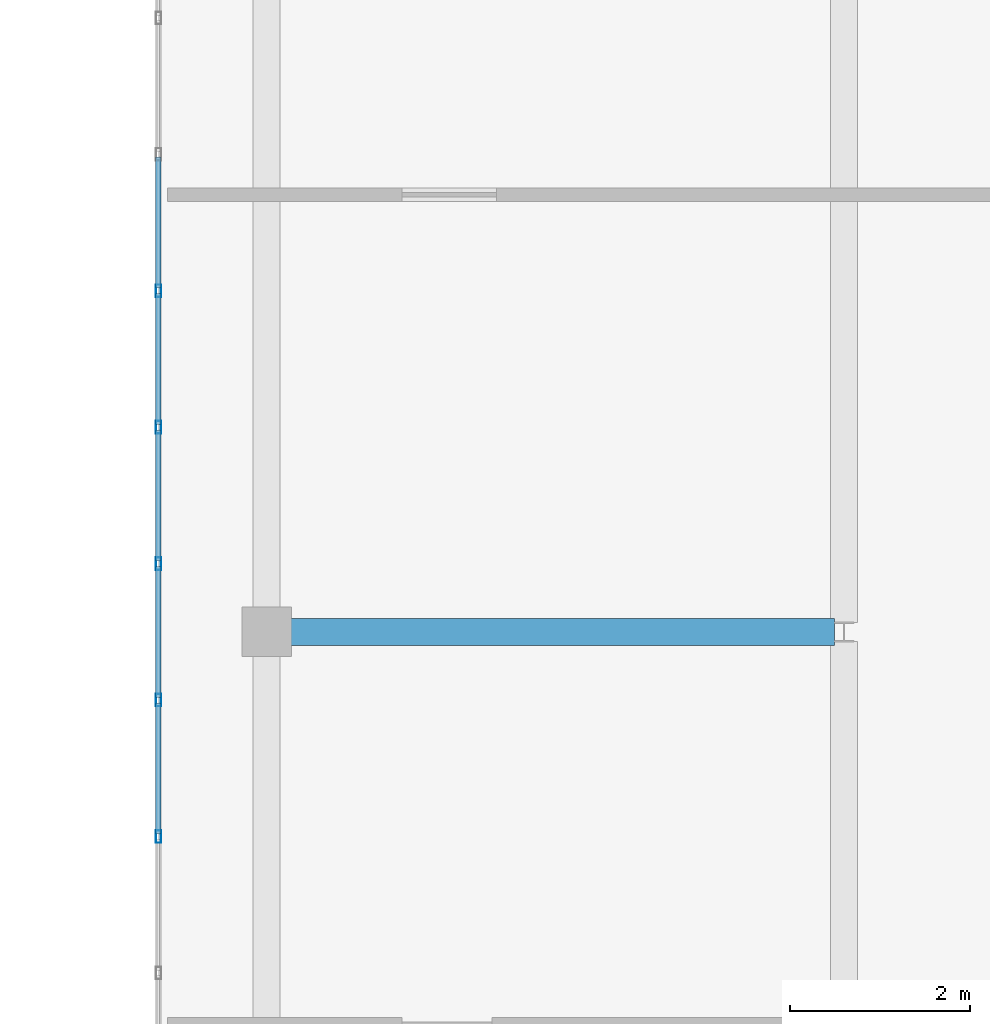
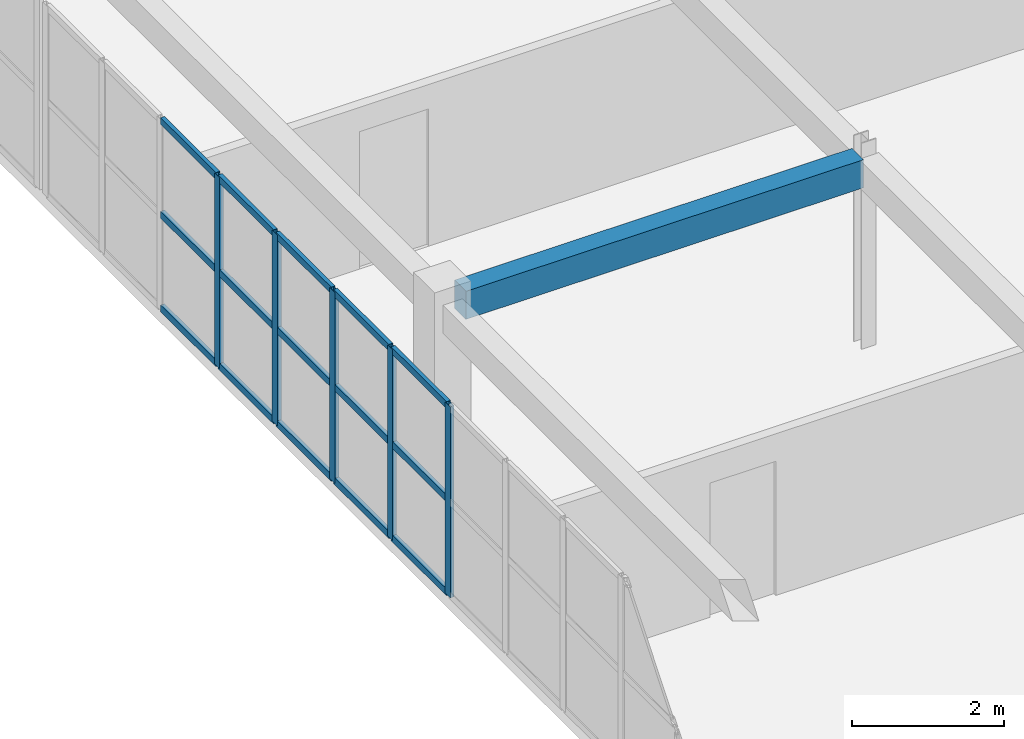
# One storey, part 22 of 148: 20 members, 1 beam, 1 element without a shape of its own.
"""IFC4 building model written with IfcOpenShell, lengths in metres."""

from ifc_helpers import new_model, si_unit, direction, frame, origin, origin_2d, place, context, subcontext, project, spatial, rectangle, hollow_rectangle, extrude, material, layer, layer_set, material_profile, profile_set, type_object, element, aggregate, save


model = new_model("IFC4")

# Units and contexts
model_context = context("Model", 3, precision=1e-05, world=origin(), true_north=direction((0.0, 1.0)))
body_context = subcontext(model_context, "Body", "Model", "MODEL_VIEW")
ifc_project = project(units=[si_unit("LENGTHUNIT", "METRE"), si_unit("AREAUNIT", "SQUARE_METRE"), si_unit("VOLUMEUNIT", "CUBIC_METRE"), si_unit("PLANEANGLEUNIT", "RADIAN"), si_unit("MASSUNIT", "GRAM", prefix="KILO")], contexts=[model_context])

# Site, building, storey
site_placement = place(None, origin())
site = spatial("IfcSite", under=ifc_project, at=site_placement, CompositionType="ELEMENT")
building_placement = place(site_placement, origin())
building = spatial("IfcBuilding", under=site, at=building_placement, Name="Trelvath General Hospital", CompositionType="ELEMENT")
storey_placement = place(building_placement, frame((0.0, 0.0, 12.89990234375)))
storey = spatial("IfcBuildingStorey", under=building, at=storey_placement, Name="L03", CompositionType="ELEMENT", Elevation=12.89990234375)

# Beam
ifc_material_1 = material(Name="Concrete C35/45", Category="concrete")
ifc_material_profile_1 = material_profile(ifc_material_1, rectangle(XDim=0.300048828125, YDim=0.449951171875, at=origin_2d()), Name="RCB300x450")
ifc_profile_set_1 = profile_set([ifc_material_profile_1], Name="Concrete C35/45")
beam_type = type_object("IfcBeamType", Name="Beam RC300x450", PredefinedType="BEAM", material=ifc_profile_set_1)
beam_placement = place(storey_placement, frame((54.6708984375, 58.800048828125, 2.835205078125), z_axis=(1.0, 0.0, 0.0), x_axis=(0.0, 1.0, 0.0)))
element("IfcBeam", 1, at=beam_placement, inside=storey, type_object=beam_type, Name="Cube Interior Ring Beam CUBE-W-T1 L03", PredefinedType="BEAM", context=body_context, shape_type="SweptSolid", body=[
    extrude(rectangle(XDim=0.300048828125, YDim=0.449951171875, at=origin_2d()), origin(), (0.0, 0.0, 1.0), 6.023193359375),
])

# Curtain wall, members
ifc_material_2 = material(Name="Anodised aluminium and low-E glass", Category="aluminium")
ifc_layer = layer(ifc_material_2, 0.14990234375)
ifc_layer_set = layer_set([ifc_layer], Name="Anodised aluminium and low-E glass")
curtain_wall_type = type_object("IfcCurtainWallType", Name="CW CrystalCube 1664 306 15", PredefinedType="USERDEFINED", material=ifc_layer_set)
curtain_wall_placement = place(storey_placement, origin())
curtain_wall = element("IfcCurtainWall", 2, at=curtain_wall_placement, inside=storey, type_object=curtain_wall_type, Name="Crystal Cube Curtain Wall CUBE-W-T1 W3 L03", ObjectType="Unitised Glazed Curtain Wall", PredefinedType="USERDEFINED")
ifc_material_3 = material(Name="Anodised aluminium", Category="aluminium")
ifc_material_profile_2 = material_profile(ifc_material_3, hollow_rectangle(XDim=0.06005859375, YDim=0.139892578125, WallThickness=0.00390625, at=origin_2d()), Name="RHS60x140x4")
ifc_profile_set_2 = profile_set([ifc_material_profile_2], Name="Anodised aluminium")
member_type_1 = type_object("IfcMemberType", Name="CurtainMullion 60x140", PredefinedType="MULLION", material=ifc_profile_set_2)
member_1_placement = place(storey_placement, frame((53.199951171875, 56.531005859375, 0.0), z_axis=(0.0, 0.0, 1.0), x_axis=(-1.0, 0.0, 0.0)))
member_1 = element("IfcMember", 3, at=member_1_placement, type_object=member_type_1, Name="CW-239 mullion 5", PredefinedType="MULLION", context=body_context, shape_type="SweptSolid", body=[
    extrude(hollow_rectangle(XDim=0.06005859375, YDim=0.139892578125, WallThickness=0.00390625, at=origin_2d()), origin(), (0.0, 0.0, 1.0), 3.06005859375),
])
member_2_placement = place(storey_placement, frame((53.199951171875, 58.043701171875, 0.0), z_axis=(0.0, 0.0, 1.0), x_axis=(-1.0, 0.0, 0.0)))
member_2 = element("IfcMember", 4, at=member_2_placement, type_object=member_type_1, Name="CW-239 mullion 6", PredefinedType="MULLION", context=body_context, shape_type="SweptSolid", body=[
    extrude(hollow_rectangle(XDim=0.06005859375, YDim=0.139892578125, WallThickness=0.00390625, at=origin_2d()), origin(), (0.0, 0.0, 1.0), 3.06005859375),
])
member_3_placement = place(storey_placement, frame((53.199951171875, 59.556396484375, 0.0), z_axis=(0.0, 0.0, 1.0), x_axis=(-1.0, 0.0, 0.0)))
member_3 = element("IfcMember", 5, at=member_3_placement, type_object=member_type_1, Name="CW-239 mullion 7", PredefinedType="MULLION", context=body_context, shape_type="SweptSolid", body=[
    extrude(hollow_rectangle(XDim=0.06005859375, YDim=0.139892578125, WallThickness=0.00390625, at=origin_2d()), origin(), (0.0, 0.0, 1.0), 3.06005859375),
])
member_4_placement = place(storey_placement, frame((53.199951171875, 61.069091796875, 0.0), z_axis=(0.0, 0.0, 1.0), x_axis=(-1.0, 0.0, 0.0)))
member_4 = element("IfcMember", 6, at=member_4_placement, type_object=member_type_1, Name="CW-239 mullion 8", PredefinedType="MULLION", context=body_context, shape_type="SweptSolid", body=[
    extrude(hollow_rectangle(XDim=0.06005859375, YDim=0.139892578125, WallThickness=0.00390625, at=origin_2d()), origin(), (0.0, 0.0, 1.0), 3.06005859375),
])
member_5_placement = place(storey_placement, frame((53.199951171875, 62.581787109375, 0.0), z_axis=(0.0, 0.0, 1.0), x_axis=(-1.0, 0.0, 0.0)))
member_5 = element("IfcMember", 7, at=member_5_placement, type_object=member_type_1, Name="CW-239 mullion 9", PredefinedType="MULLION", context=body_context, shape_type="SweptSolid", body=[
    extrude(hollow_rectangle(XDim=0.06005859375, YDim=0.139892578125, WallThickness=0.00390625, at=origin_2d()), origin(), (0.0, 0.0, 1.0), 3.06005859375),
])
ifc_material_4 = material(Name="Anodised aluminium", Category="aluminium")
ifc_material_profile_3 = material_profile(ifc_material_4, hollow_rectangle(XDim=0.06005859375, YDim=0.110107421875, WallThickness=0.00390625, at=origin_2d()), Name="RHS60x110x4")
ifc_profile_set_3 = profile_set([ifc_material_profile_3], Name="Anodised aluminium")
member_type_2 = type_object("IfcMemberType", Name="CurtainTransom 60x110", PredefinedType="USERDEFINED", material=ifc_profile_set_3)
member_6_placement = place(storey_placement, frame((53.199951171875, 56.560791015625, 0.030029296875), z_axis=(0.0, 1.0, 0.0), x_axis=(-1.0, 0.0, 0.0)))
member_6 = element("IfcMember", 8, at=member_6_placement, type_object=member_type_2, Name="CW-239 transom 5.1", ObjectType="TRANSOM", PredefinedType="USERDEFINED", context=body_context, shape_type="SweptSolid", body=[
    extrude(hollow_rectangle(XDim=0.06005859375, YDim=0.110107421875, WallThickness=0.00390625, at=origin_2d()), origin(), (0.0, 0.0, 1.0), 1.452880859375),
])
member_7_placement = place(storey_placement, frame((53.199951171875, 56.560791015625, 1.530029296875), z_axis=(0.0, 1.0, 0.0), x_axis=(-1.0, 0.0, 0.0)))
member_7 = element("IfcMember", 9, at=member_7_placement, type_object=member_type_2, Name="CW-239 transom 5.2", ObjectType="TRANSOM", PredefinedType="USERDEFINED", context=body_context, shape_type="SweptSolid", body=[
    extrude(hollow_rectangle(XDim=0.06005859375, YDim=0.110107421875, WallThickness=0.00390625, at=origin_2d()), origin(), (0.0, 0.0, 1.0), 1.452880859375),
])
member_8_placement = place(storey_placement, frame((53.199951171875, 56.560791015625, 3.030029296875), z_axis=(0.0, 1.0, 0.0), x_axis=(-1.0, 0.0, 0.0)))
member_8 = element("IfcMember", 10, at=member_8_placement, type_object=member_type_2, Name="CW-239 transom 5.3", ObjectType="TRANSOM", PredefinedType="USERDEFINED", context=body_context, shape_type="SweptSolid", body=[
    extrude(hollow_rectangle(XDim=0.06005859375, YDim=0.110107421875, WallThickness=0.00390625, at=origin_2d()), origin(), (0.0, 0.0, 1.0), 1.452880859375),
])
member_9_placement = place(storey_placement, frame((53.199951171875, 58.07373046875, 0.030029296875), z_axis=(0.0, 1.0, 0.0), x_axis=(-1.0, 0.0, 0.0)))
member_9 = element("IfcMember", 11, at=member_9_placement, type_object=member_type_2, Name="CW-239 transom 6.1", ObjectType="TRANSOM", PredefinedType="USERDEFINED", context=body_context, shape_type="SweptSolid", body=[
    extrude(hollow_rectangle(XDim=0.06005859375, YDim=0.110107421875, WallThickness=0.00390625, at=origin_2d()), origin(), (0.0, 0.0, 1.0), 1.45263671875),
])
member_10_placement = place(storey_placement, frame((53.199951171875, 58.07373046875, 1.530029296875), z_axis=(0.0, 1.0, 0.0), x_axis=(-1.0, 0.0, 0.0)))
member_10 = element("IfcMember", 12, at=member_10_placement, type_object=member_type_2, Name="CW-239 transom 6.2", ObjectType="TRANSOM", PredefinedType="USERDEFINED", context=body_context, shape_type="SweptSolid", body=[
    extrude(hollow_rectangle(XDim=0.06005859375, YDim=0.110107421875, WallThickness=0.00390625, at=origin_2d()), origin(), (0.0, 0.0, 1.0), 1.45263671875),
])
member_11_placement = place(storey_placement, frame((53.199951171875, 58.07373046875, 3.030029296875), z_axis=(0.0, 1.0, 0.0), x_axis=(-1.0, 0.0, 0.0)))
member_11 = element("IfcMember", 13, at=member_11_placement, type_object=member_type_2, Name="CW-239 transom 6.3", ObjectType="TRANSOM", PredefinedType="USERDEFINED", context=body_context, shape_type="SweptSolid", body=[
    extrude(hollow_rectangle(XDim=0.06005859375, YDim=0.110107421875, WallThickness=0.00390625, at=origin_2d()), origin(), (0.0, 0.0, 1.0), 1.45263671875),
])
member_12_placement = place(storey_placement, frame((53.199951171875, 59.58642578125, 0.030029296875), z_axis=(0.0, 1.0, 0.0), x_axis=(-1.0, 0.0, 0.0)))
member_12 = element("IfcMember", 14, at=member_12_placement, type_object=member_type_2, Name="CW-239 transom 7.1", ObjectType="TRANSOM", PredefinedType="USERDEFINED", context=body_context, shape_type="SweptSolid", body=[
    extrude(hollow_rectangle(XDim=0.06005859375, YDim=0.110107421875, WallThickness=0.00390625, at=origin_2d()), origin(), (0.0, 0.0, 1.0), 1.45263671875),
])
member_13_placement = place(storey_placement, frame((53.199951171875, 59.58642578125, 1.530029296875), z_axis=(0.0, 1.0, 0.0), x_axis=(-1.0, 0.0, 0.0)))
member_13 = element("IfcMember", 15, at=member_13_placement, type_object=member_type_2, Name="CW-239 transom 7.2", ObjectType="TRANSOM", PredefinedType="USERDEFINED", context=body_context, shape_type="SweptSolid", body=[
    extrude(hollow_rectangle(XDim=0.06005859375, YDim=0.110107421875, WallThickness=0.00390625, at=origin_2d()), origin(), (0.0, 0.0, 1.0), 1.45263671875),
])
member_14_placement = place(storey_placement, frame((53.199951171875, 59.58642578125, 3.030029296875), z_axis=(0.0, 1.0, 0.0), x_axis=(-1.0, 0.0, 0.0)))
member_14 = element("IfcMember", 16, at=member_14_placement, type_object=member_type_2, Name="CW-239 transom 7.3", ObjectType="TRANSOM", PredefinedType="USERDEFINED", context=body_context, shape_type="SweptSolid", body=[
    extrude(hollow_rectangle(XDim=0.06005859375, YDim=0.110107421875, WallThickness=0.00390625, at=origin_2d()), origin(), (0.0, 0.0, 1.0), 1.45263671875),
])
member_15_placement = place(storey_placement, frame((53.199951171875, 61.09912109375, 0.030029296875), z_axis=(0.0, 1.0, 0.0), x_axis=(-1.0, 0.0, 0.0)))
member_15 = element("IfcMember", 17, at=member_15_placement, type_object=member_type_2, Name="CW-239 transom 8.1", ObjectType="TRANSOM", PredefinedType="USERDEFINED", context=body_context, shape_type="SweptSolid", body=[
    extrude(hollow_rectangle(XDim=0.06005859375, YDim=0.110107421875, WallThickness=0.00390625, at=origin_2d()), origin(), (0.0, 0.0, 1.0), 1.45263671875),
])
member_16_placement = place(storey_placement, frame((53.199951171875, 61.09912109375, 1.530029296875), z_axis=(0.0, 1.0, 0.0), x_axis=(-1.0, 0.0, 0.0)))
member_16 = element("IfcMember", 18, at=member_16_placement, type_object=member_type_2, Name="CW-239 transom 8.2", ObjectType="TRANSOM", PredefinedType="USERDEFINED", context=body_context, shape_type="SweptSolid", body=[
    extrude(hollow_rectangle(XDim=0.06005859375, YDim=0.110107421875, WallThickness=0.00390625, at=origin_2d()), origin(), (0.0, 0.0, 1.0), 1.45263671875),
])
member_17_placement = place(storey_placement, frame((53.199951171875, 61.09912109375, 3.030029296875), z_axis=(0.0, 1.0, 0.0), x_axis=(-1.0, 0.0, 0.0)))
member_17 = element("IfcMember", 19, at=member_17_placement, type_object=member_type_2, Name="CW-239 transom 8.3", ObjectType="TRANSOM", PredefinedType="USERDEFINED", context=body_context, shape_type="SweptSolid", body=[
    extrude(hollow_rectangle(XDim=0.06005859375, YDim=0.110107421875, WallThickness=0.00390625, at=origin_2d()), origin(), (0.0, 0.0, 1.0), 1.45263671875),
])
member_18_placement = place(storey_placement, frame((53.199951171875, 62.61181640625, 0.030029296875), z_axis=(0.0, 1.0, 0.0), x_axis=(-1.0, 0.0, 0.0)))
member_18 = element("IfcMember", 20, at=member_18_placement, type_object=member_type_2, Name="CW-239 transom 9.1", ObjectType="TRANSOM", PredefinedType="USERDEFINED", context=body_context, shape_type="SweptSolid", body=[
    extrude(hollow_rectangle(XDim=0.06005859375, YDim=0.110107421875, WallThickness=0.00390625, at=origin_2d()), origin(), (0.0, 0.0, 1.0), 1.45263671875),
])
member_19_placement = place(storey_placement, frame((53.199951171875, 62.61181640625, 1.530029296875), z_axis=(0.0, 1.0, 0.0), x_axis=(-1.0, 0.0, 0.0)))
member_19 = element("IfcMember", 21, at=member_19_placement, type_object=member_type_2, Name="CW-239 transom 9.2", ObjectType="TRANSOM", PredefinedType="USERDEFINED", context=body_context, shape_type="SweptSolid", body=[
    extrude(hollow_rectangle(XDim=0.06005859375, YDim=0.110107421875, WallThickness=0.00390625, at=origin_2d()), origin(), (0.0, 0.0, 1.0), 1.45263671875),
])
member_20_placement = place(storey_placement, frame((53.199951171875, 62.61181640625, 3.030029296875), z_axis=(0.0, 1.0, 0.0), x_axis=(-1.0, 0.0, 0.0)))
member_20 = element("IfcMember", 22, at=member_20_placement, type_object=member_type_2, Name="CW-239 transom 9.3", ObjectType="TRANSOM", PredefinedType="USERDEFINED", context=body_context, shape_type="SweptSolid", body=[
    extrude(hollow_rectangle(XDim=0.06005859375, YDim=0.110107421875, WallThickness=0.00390625, at=origin_2d()), origin(), (0.0, 0.0, 1.0), 1.45263671875),
])
aggregate(curtain_wall, [member_1, member_2, member_3, member_4, member_5, member_6, member_7, member_8, member_9, member_10, member_11, member_12, member_13, member_14, member_15, member_16, member_17, member_18, member_19, member_20])

save(model, "model.ifc")
